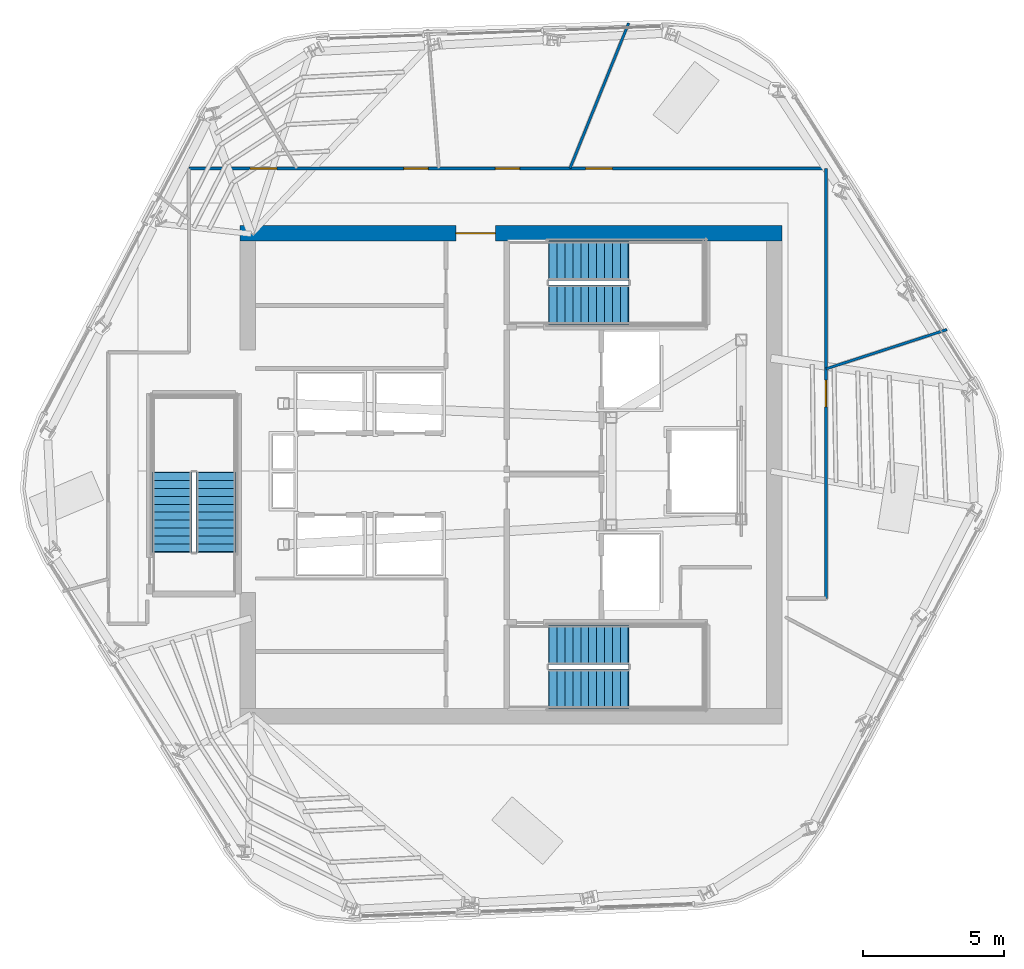
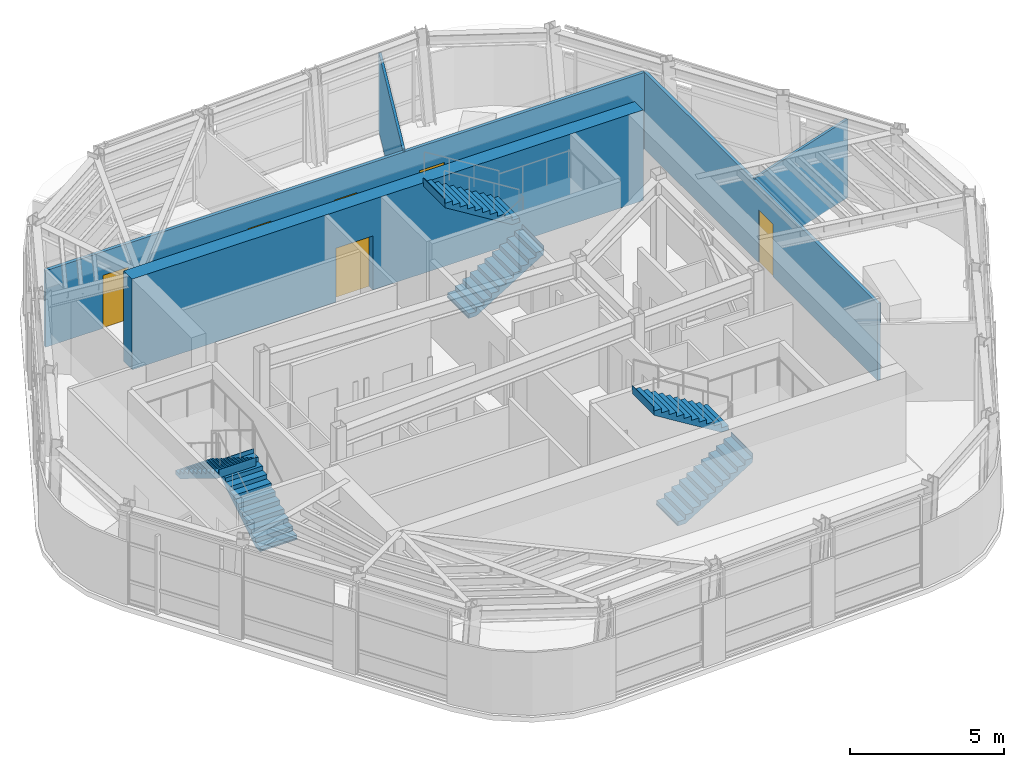
# One storey, part 8 of 13: 6 doors, 6 stair flights, 5 walls, 6 openings, 3 elements without a shape of their own.
"""IFC4 building model written with IfcOpenShell, lengths in metres."""

from ifc_helpers import new_model, si_unit, direction, frame, frame_2d, origin, place, context, subcontext, project, spatial, polyline, rectangle, outline, extrude, material, layer, layer_set, type_object, element, fill, aggregate, save


model = new_model("IFC4")

# Units and contexts
model_context = context("Model", 3, precision=1e-05, world=origin(), true_north=direction((0.0, 1.0)))
body_context = subcontext(model_context, "Body", "Model", "MODEL_VIEW")
ifc_project = project(units=[si_unit("LENGTHUNIT", "METRE"), si_unit("AREAUNIT", "SQUARE_METRE"), si_unit("VOLUMEUNIT", "CUBIC_METRE"), si_unit("PLANEANGLEUNIT", "RADIAN"), si_unit("MASSUNIT", "GRAM", prefix="KILO")], contexts=[model_context])

# Site, building, storey
site_placement = place(None, origin())
site = spatial("IfcSite", under=ifc_project, at=site_placement, CompositionType="ELEMENT")
building_placement = place(site_placement, origin())
building = spatial("IfcBuilding", under=site, at=building_placement, Name="Valkerne Bourse Tower", CompositionType="ELEMENT")
storey_placement = place(building_placement, frame((0.0, 0.0, 292.60009765625)))
storey = spatial("IfcBuildingStorey", under=building, at=storey_placement, Name="L74", CompositionType="ELEMENT", Elevation=292.60009765625)

# Wall, opening, door
ifc_material_1 = material(Name="Concrete C55/67", Category="concrete")
ifc_layer_1 = layer(ifc_material_1, 0.550048828125)
ifc_layer_set_1 = layer_set([ifc_layer_1], Name="Concrete C55/67")
wall_type_1 = type_object("IfcWallType", Name="W-CORE-550", PredefinedType="SHEAR", material=ifc_layer_set_1)
wall_1_placement = place(storey_placement, frame((37.199951171875, 35.425048828125, 0.0), z_axis=(0.0, 0.0, 1.0), x_axis=(1.0, 0.0, 0.0)))
wall_1 = element("IfcWall", 1, at=wall_1_placement, inside=storey, type_object=wall_type_1, Name="L74 Core Shear Wall NORTH", PredefinedType="SHEAR", context=body_context, shape_type="SweptSolid", body=[
    extrude(rectangle(XDim=19.199951171875, YDim=0.550048828125, at=frame_2d((9.60009765625, 0.0))), origin(), (0.0, 0.0, 1.0), 3.599853515625),
])
opening_1_placement = place(wall_1_placement, frame((7.64990234375, 0.0, 0.0)))
opening_1 = element("IfcOpeningElement", 2, at=opening_1_placement, cuts=wall_1, Name="Opening D-PL-1400", PredefinedType="OPENING", context=body_context, shape_type="SweptSolid", body=[
    extrude(rectangle(XDim=1.39990234375, YDim=2.14990234375, at=frame_2d((0.699951171875, 1.074951171875))), frame((0.0, 0.284912109375, 0.0), z_axis=(0.0, -1.0, 0.0), x_axis=(1.0, 0.0, 0.0)), (0.0, 0.0, 1.0), 0.570068359375),
])
ifc_material_2 = material(Name="Galvanised Painted Steel", Category="steel")
door_type_1 = type_object("IfcDoorType", Name="DR-PLT-1400", OperationType="DOUBLE_DOOR_SINGLE_SWING", PredefinedType="DOOR", material=ifc_material_2)
door_1_placement = place(opening_1_placement, origin())
door_1 = element("IfcDoor", 3, at=door_1_placement, inside=storey, type_object=door_type_1, Name="L74 North Passenger Lift Hall Fire Door", OperationType="DOUBLE_DOOR_SINGLE_SWING", OverallHeight=2.14990234375, OverallWidth=1.39990234375, PredefinedType="DOOR", context=body_context, shape_type="SweptSolid", body=[
    extrude(rectangle(XDim=1.39990234375, YDim=2.14990234375, at=frame_2d((0.699951171875, 1.074951171875))), frame((0.0, 0.02490234375, 0.0), z_axis=(0.0, -1.0, 0.0), x_axis=(1.0, 0.0, 0.0)), (0.0, 0.0, 1.0), 0.050048828125),
])
fill(opening_1, door_1)

# Wall, openings, doors
ifc_material_3 = material(Name="Gypsum Board Steel-Stud Partition", Category="steel")
ifc_layer_2 = layer(ifc_material_3, 0.117919921875)
ifc_layer_set_2 = layer_set([ifc_layer_2], Name="Gypsum Board Steel-Stud Partition")
wall_type_2 = type_object("IfcWallType", Name="W-CORR-140", PredefinedType="PARTITIONING", material=ifc_layer_set_2)
wall_2_placement = place(storey_placement, frame((35.39990234375, 37.719970703125, 0.0), z_axis=(0.0, 0.0, 1.0), x_axis=(1.0, 0.0, 0.0)))
wall_2 = element("IfcWall", 4, at=wall_2_placement, inside=storey, type_object=wall_type_2, Name="L74 Corridor Enclosure Wall", PredefinedType="PARTITIONING", context=body_context, shape_type="SweptSolid", body=[
    extrude(rectangle(XDim=22.550048828125, YDim=0.117919921875, at=frame_2d((11.27490234375, 0.0))), origin(), (0.0, 0.0, 1.0), 3.041259765625),
])
opening_2_placement = place(wall_2_placement, frame((7.60498046875, 0.0, 0.0)))
opening_2 = element("IfcOpeningElement", 5, at=opening_2_placement, cuts=wall_2, Name="Opening D-WC-900", PredefinedType="OPENING", context=body_context, shape_type="SweptSolid", body=[
    extrude(rectangle(XDim=0.860107421875, YDim=2.050048828125, at=frame_2d((0.43017578125, 1.02490234375))), frame((0.0, 0.06884765625, 0.0), z_axis=(0.0, -1.0, 0.0), x_axis=(1.0, 0.0, 0.0)), (0.0, 0.0, 1.0), 0.137939453125),
])
opening_3_placement = place(wall_2_placement, frame((10.844970703125, 0.0, 0.0)))
opening_3 = element("IfcOpeningElement", 6, at=opening_3_placement, cuts=wall_2, Name="Opening D-WC-900", PredefinedType="OPENING", context=body_context, shape_type="SweptSolid", body=[
    extrude(rectangle(XDim=0.860107421875, YDim=2.050048828125, at=frame_2d((0.43017578125, 1.02490234375))), frame((0.0, 0.06884765625, 0.0), z_axis=(0.0, -1.0, 0.0), x_axis=(1.0, 0.0, 0.0)), (0.0, 0.0, 1.0), 0.137939453125),
])
opening_4_placement = place(wall_2_placement, frame((14.0400390625, 0.0, 0.0)))
opening_4 = element("IfcOpeningElement", 7, at=opening_4_placement, cuts=wall_2, Name="Opening D-OF-950", PredefinedType="OPENING", context=body_context, shape_type="SweptSolid", body=[
    extrude(rectangle(XDim=0.949951171875, YDim=2.10009765625, at=frame_2d((0.47509765625, 1.050048828125))), frame((0.0, 0.06884765625, 0.0), z_axis=(0.0, -1.0, 0.0), x_axis=(1.0, 0.0, 0.0)), (0.0, 0.0, 1.0), 0.137939453125),
])
opening_5_placement = place(wall_2_placement, frame((2.159912109375, 0.0, 0.0)))
opening_5 = element("IfcOpeningElement", 8, at=opening_5_placement, cuts=wall_2, Name="Opening D-OF-950", PredefinedType="OPENING", context=body_context, shape_type="SweptSolid", body=[
    extrude(rectangle(XDim=0.949951171875, YDim=2.10009765625, at=frame_2d((0.47509765625, 1.050048828125))), frame((0.0, 0.06884765625, 0.0), z_axis=(0.0, -1.0, 0.0), x_axis=(1.0, 0.0, 0.0)), (0.0, 0.0, 1.0), 0.137939453125),
])
ifc_material_4 = material(Name="Architectural White Oak Timber", Category="wood")
door_type_2 = type_object("IfcDoorType", Name="DR-OFF-950", OperationType="NOTDEFINED", PredefinedType="DOOR", material=ifc_material_4)
door_2_placement = place(opening_4_placement, origin())
door_2 = element("IfcDoor", 9, at=door_2_placement, inside=storey, type_object=door_type_2, Name="L74 L74 Member Collaboration Club Salon 4 Door", OperationType="SINGLE_SWING_LEFT", OverallHeight=2.10009765625, OverallWidth=0.949951171875, PredefinedType="DOOR", context=body_context, shape_type="SweptSolid", body=[
    extrude(rectangle(XDim=0.949951171875, YDim=2.10009765625, at=frame_2d((0.47509765625, 1.050048828125))), frame((0.0, 0.02490234375, 0.0), z_axis=(0.0, -1.0, 0.0), x_axis=(1.0, 0.0, 0.0)), (0.0, 0.0, 1.0), 0.050048828125),
])
fill(opening_4, door_2)
door_3_placement = place(opening_5_placement, origin())
door_3 = element("IfcDoor", 10, at=door_3_placement, inside=storey, type_object=door_type_2, Name="L74 L74 VIP Client Concierge Reception 6 Door", OperationType="SINGLE_SWING_LEFT", OverallHeight=2.10009765625, OverallWidth=0.949951171875, PredefinedType="DOOR", context=body_context, shape_type="SweptSolid", body=[
    extrude(rectangle(XDim=0.949951171875, YDim=2.10009765625, at=frame_2d((0.47509765625, 1.050048828125))), frame((0.0, 0.02490234375, 0.0), z_axis=(0.0, -1.0, 0.0), x_axis=(1.0, 0.0, 0.0)), (0.0, 0.0, 1.0), 0.050048828125),
])
fill(opening_5, door_3)
door_type_3 = type_object("IfcDoorType", Name="DR-WC-900", OperationType="NOTDEFINED", PredefinedType="DOOR", material=ifc_material_4)
door_4_placement = place(opening_2_placement, origin())
door_4 = element("IfcDoor", 11, at=door_4_placement, inside=storey, type_object=door_type_3, Name="L74 L74 Men Bathroom WC 1 Door", OperationType="SINGLE_SWING_LEFT", OverallHeight=2.050048828125, OverallWidth=0.860107421875, PredefinedType="DOOR", context=body_context, shape_type="SweptSolid", body=[
    extrude(rectangle(XDim=0.860107421875, YDim=2.050048828125, at=frame_2d((0.43017578125, 1.02490234375))), frame((0.0, 0.02490234375, 0.0), z_axis=(0.0, -1.0, 0.0), x_axis=(1.0, 0.0, 0.0)), (0.0, 0.0, 1.0), 0.050048828125),
])
fill(opening_2, door_4)
door_5_placement = place(opening_3_placement, origin())
door_5 = element("IfcDoor", 12, at=door_5_placement, inside=storey, type_object=door_type_3, Name="L74 L74 Women Restroom & Shower WC 2 Door", OperationType="SINGLE_SWING_LEFT", OverallHeight=2.050048828125, OverallWidth=0.860107421875, PredefinedType="DOOR", context=body_context, shape_type="SweptSolid", body=[
    extrude(rectangle(XDim=0.860107421875, YDim=2.050048828125, at=frame_2d((0.43017578125, 1.02490234375))), frame((0.0, 0.02490234375, 0.0), z_axis=(0.0, -1.0, 0.0), x_axis=(1.0, 0.0, 0.0)), (0.0, 0.0, 1.0), 0.050048828125),
])
fill(opening_3, door_5)

# Wall, opening, door
wall_3_placement = place(storey_placement, frame((57.949951171875, 37.719970703125, 0.0), z_axis=(0.0, 0.0, 1.0), x_axis=(0.0, -1.0, 0.0)))
wall_3 = element("IfcWall", 13, at=wall_3_placement, inside=storey, type_object=wall_type_2, Name="L74 Corridor Enclosure Wall", PredefinedType="PARTITIONING", context=body_context, shape_type="SweptSolid", body=[
    extrude(rectangle(XDim=15.219970703125, YDim=0.117919921875, at=frame_2d((7.60986328125, 0.0))), origin(), (0.0, 0.0, 1.0), 3.056396484375),
])
opening_6_placement = place(wall_3_placement, frame((7.4951171875, 0.0, 0.0)))
opening_6 = element("IfcOpeningElement", 14, at=opening_6_placement, cuts=wall_3, Name="Opening D-OF-950", PredefinedType="OPENING", context=body_context, shape_type="SweptSolid", body=[
    extrude(rectangle(XDim=0.949951171875, YDim=2.10009765625, at=frame_2d((0.47509765625, 1.050048828125))), frame((0.0, 0.06884765625, 0.0), z_axis=(0.0, -1.0, 0.0), x_axis=(1.0, 0.0, 0.0)), (0.0, 0.0, 1.0), 0.137939453125),
])
door_6_placement = place(opening_6_placement, origin())
door_6 = element("IfcDoor", 15, at=door_6_placement, inside=storey, type_object=door_type_2, Name="L74 L74 VIP Client Concierge Reception 5 Door", OperationType="SINGLE_SWING_LEFT", OverallHeight=2.10009765625, OverallWidth=0.949951171875, PredefinedType="DOOR", context=body_context, shape_type="SweptSolid", body=[
    extrude(rectangle(XDim=0.949951171875, YDim=2.10009765625, at=frame_2d((0.47509765625, 1.050048828125))), frame((0.0, 0.02490234375, 0.0), z_axis=(0.0, -1.0, 0.0), x_axis=(1.0, 0.0, 0.0)), (0.0, 0.0, 1.0), 0.050048828125),
])
fill(opening_6, door_6)

# Walls
ifc_layer_3 = layer(ifc_material_3, 0.092041015625)
ifc_layer_set_3 = layer_set([ifc_layer_3], Name="Gypsum Board Steel-Stud Partition")
wall_type_3 = type_object("IfcWallType", Name="W-PART-115", PredefinedType="PARTITIONING", material=ifc_layer_set_3)
wall_4_placement = place(storey_placement, frame((48.888916015625, 37.72509765625, 0.0), z_axis=(0.0, 0.0, 1.0), x_axis=(0.374594933497, 0.927188565394, 0.0)))
element("IfcWall", 16, at=wall_4_placement, inside=storey, type_object=wall_type_3, Name="L74 Suite Partition P01", PredefinedType="PARTITIONING", context=body_context, shape_type="SweptSolid", body=[
    extrude(rectangle(XDim=5.539794921875, YDim=0.092041015625, at=frame_2d((2.77001953125, 0.0))), origin(), (0.0, 0.0, 1.0), 3.114990234375),
])
wall_5_placement = place(storey_placement, frame((57.955078125, 30.62451171875, 0.0), z_axis=(0.0, 0.0, 1.0), x_axis=(0.951063958056, 0.308994090051, 0.0)))
element("IfcWall", 17, at=wall_5_placement, inside=storey, type_object=wall_type_3, Name="L74 Suite Partition P05", PredefinedType="PARTITIONING", context=body_context, shape_type="SweptSolid", body=[
    extrude(rectangle(XDim=4.501220703125, YDim=0.092041015625, at=frame_2d((2.25048828125, 0.0))), origin(), (0.0, 0.0, 1.0), 3.114990234375),
])

# Stair, stair flights
ifc_material_5 = material(Name="Concrete C40/50", Category="concrete")
stair_type = type_object("IfcStairType", Name="ST-CORE-1400", PredefinedType="HALF_TURN_STAIR", material=ifc_material_5)
stair_1_placement = place(storey_placement, origin())
stair_1 = element("IfcStair", 18, at=stair_1_placement, inside=storey, type_object=stair_type, Name="L74 ST-1", PredefinedType="HALF_TURN_STAIR")
stair_flight_type = type_object("IfcStairFlightType", Name="STF-CORE-1400", PredefinedType="STRAIGHT", material=ifc_material_5)
stair_flight_1_placement = place(storey_placement, frame((48.14990234375, 19.300048828125, 0.0), z_axis=(0.0, 0.0, 1.0), x_axis=(1.0, 0.0, 0.0)))
stair_flight_1 = element("IfcStairFlight", 19, at=stair_flight_1_placement, type_object=stair_flight_type, Name="ST-1 flight 1", NumberOfRisers=11, NumberOfTreads=10, PredefinedType="STRAIGHT", RiserHeight=0.172727273, TreadLength=0.28, context=body_context, shape_type="SweptSolid", body=[
    extrude(outline(polyline([(-0.02001953125, 0.0), (-0.02001953125, 0.044921875), (0.0, 0.044921875), (0.0, 0.172607421875), (0.280029296875, 0.172607421875), (0.280029296875, 0.345458984375), (0.56005859375, 0.345458984375), (0.56005859375, 0.51806640625), (0.840087890625, 0.51806640625), (0.840087890625, 0.69091796875), (1.1201171875, 0.69091796875), (1.1201171875, 0.863525390625), (1.39990234375, 0.863525390625), (1.39990234375, 1.036376953125), (1.679931640625, 1.036376953125), (1.679931640625, 1.208984375), (1.9599609375, 1.208984375), (1.9599609375, 1.3818359375), (2.239990234375, 1.3818359375), (2.239990234375, 1.554443359375), (2.52001953125, 1.554443359375), (2.52001953125, 1.727294921875), (2.800048828125, 1.727294921875), (2.800048828125, 1.89990234375), (2.820068359375, 1.89990234375), (2.820068359375, 1.780029296875), (2.800048828125, 1.551025390625), (0.285400390625, 0.0), (-0.02001953125, 0.0)])), frame((0.0, 0.699951171875, 0.0), z_axis=(0.0, -1.0, 0.0), x_axis=(1.0, 0.0, 0.0)), (0.0, 0.0, 1.0), 1.39990234375),
])
stair_flight_2_placement = place(storey_placement, frame((50.949951171875, 20.85009765625, 1.89990234375), z_axis=(0.0, 0.0, 1.0), x_axis=(-1.0, 0.0, 0.0)))
stair_flight_2 = element("IfcStairFlight", 20, at=stair_flight_2_placement, type_object=stair_flight_type, Name="ST-1 flight 2", NumberOfRisers=11, NumberOfTreads=10, PredefinedType="STRAIGHT", RiserHeight=0.172727273, TreadLength=0.28, context=body_context, shape_type="SweptSolid", body=[
    extrude(outline(polyline([(-0.02001953125, 0.0), (-0.02001953125, 0.044921875), (0.0, 0.044921875), (0.0, 0.172607421875), (0.280029296875, 0.172607421875), (0.280029296875, 0.345458984375), (0.56005859375, 0.345458984375), (0.56005859375, 0.51806640625), (0.840087890625, 0.51806640625), (0.840087890625, 0.69091796875), (1.1201171875, 0.69091796875), (1.1201171875, 0.863525390625), (1.39990234375, 0.863525390625), (1.39990234375, 1.036376953125), (1.679931640625, 1.036376953125), (1.679931640625, 1.208984375), (1.9599609375, 1.208984375), (1.9599609375, 1.3818359375), (2.239990234375, 1.3818359375), (2.239990234375, 1.554443359375), (2.52001953125, 1.554443359375), (2.52001953125, 1.727294921875), (2.800048828125, 1.727294921875), (2.800048828125, 1.89990234375), (2.820068359375, 1.89990234375), (2.820068359375, 1.780029296875), (2.800048828125, 1.551025390625), (0.285400390625, 0.0), (-0.02001953125, 0.0)])), frame((0.0, 0.699951171875, 0.0), z_axis=(0.0, -1.0, 0.0), x_axis=(1.0, 0.0, 0.0)), (0.0, 0.0, 1.0), 1.39990234375),
])
aggregate(stair_1, [stair_flight_1, stair_flight_2])

stair_2_placement = place(storey_placement, origin())
stair_2 = element("IfcStair", 21, at=stair_2_placement, inside=storey, type_object=stair_type, Name="L74 ST-2", PredefinedType="HALF_TURN_STAIR")
stair_flight_3_placement = place(storey_placement, frame((48.14990234375, 32.89990234375, 0.0), z_axis=(0.0, 0.0, 1.0), x_axis=(1.0, 0.0, 0.0)))
stair_flight_3 = element("IfcStairFlight", 22, at=stair_flight_3_placement, type_object=stair_flight_type, Name="ST-2 flight 1", NumberOfRisers=11, NumberOfTreads=10, PredefinedType="STRAIGHT", RiserHeight=0.172727273, TreadLength=0.28, context=body_context, shape_type="SweptSolid", body=[
    extrude(outline(polyline([(-0.02001953125, 0.0), (-0.02001953125, 0.044921875), (0.0, 0.044921875), (0.0, 0.172607421875), (0.280029296875, 0.172607421875), (0.280029296875, 0.345458984375), (0.56005859375, 0.345458984375), (0.56005859375, 0.51806640625), (0.840087890625, 0.51806640625), (0.840087890625, 0.69091796875), (1.1201171875, 0.69091796875), (1.1201171875, 0.863525390625), (1.39990234375, 0.863525390625), (1.39990234375, 1.036376953125), (1.679931640625, 1.036376953125), (1.679931640625, 1.208984375), (1.9599609375, 1.208984375), (1.9599609375, 1.3818359375), (2.239990234375, 1.3818359375), (2.239990234375, 1.554443359375), (2.52001953125, 1.554443359375), (2.52001953125, 1.727294921875), (2.800048828125, 1.727294921875), (2.800048828125, 1.89990234375), (2.820068359375, 1.89990234375), (2.820068359375, 1.780029296875), (2.800048828125, 1.551025390625), (0.285400390625, 0.0), (-0.02001953125, 0.0)])), frame((0.0, 0.699951171875, 0.0), z_axis=(0.0, -1.0, 0.0), x_axis=(1.0, 0.0, 0.0)), (0.0, 0.0, 1.0), 1.39990234375),
])
stair_flight_4_placement = place(storey_placement, frame((50.949951171875, 34.449951171875, 1.89990234375), z_axis=(0.0, 0.0, 1.0), x_axis=(-1.0, 0.0, 0.0)))
stair_flight_4 = element("IfcStairFlight", 23, at=stair_flight_4_placement, type_object=stair_flight_type, Name="ST-2 flight 2", NumberOfRisers=11, NumberOfTreads=10, PredefinedType="STRAIGHT", RiserHeight=0.172727273, TreadLength=0.28, context=body_context, shape_type="SweptSolid", body=[
    extrude(outline(polyline([(-0.02001953125, 0.0), (-0.02001953125, 0.044921875), (0.0, 0.044921875), (0.0, 0.172607421875), (0.280029296875, 0.172607421875), (0.280029296875, 0.345458984375), (0.56005859375, 0.345458984375), (0.56005859375, 0.51806640625), (0.840087890625, 0.51806640625), (0.840087890625, 0.69091796875), (1.1201171875, 0.69091796875), (1.1201171875, 0.863525390625), (1.39990234375, 0.863525390625), (1.39990234375, 1.036376953125), (1.679931640625, 1.036376953125), (1.679931640625, 1.208984375), (1.9599609375, 1.208984375), (1.9599609375, 1.3818359375), (2.239990234375, 1.3818359375), (2.239990234375, 1.554443359375), (2.52001953125, 1.554443359375), (2.52001953125, 1.727294921875), (2.800048828125, 1.727294921875), (2.800048828125, 1.89990234375), (2.820068359375, 1.89990234375), (2.820068359375, 1.780029296875), (2.800048828125, 1.551025390625), (0.285400390625, 0.0), (-0.02001953125, 0.0)])), frame((0.0, 0.699951171875, 0.0), z_axis=(0.0, -1.0, 0.0), x_axis=(1.0, 0.0, 0.0)), (0.0, 0.0, 1.0), 1.39990234375),
])
aggregate(stair_2, [stair_flight_3, stair_flight_4])

stair_3_placement = place(storey_placement, origin())
stair_3 = element("IfcStair", 24, at=stair_3_placement, inside=storey, type_object=stair_type, Name="L74 ST-3", PredefinedType="HALF_TURN_STAIR")
stair_flight_5_placement = place(storey_placement, frame((36.35009765625, 24.14990234375, 0.0), z_axis=(0.0, 0.0, 1.0), x_axis=(0.0, 1.0, 0.0)))
stair_flight_5 = element("IfcStairFlight", 25, at=stair_flight_5_placement, type_object=stair_flight_type, Name="ST-3 flight 1", NumberOfRisers=11, NumberOfTreads=10, PredefinedType="STRAIGHT", RiserHeight=0.172727273, TreadLength=0.28, context=body_context, shape_type="SweptSolid", body=[
    extrude(outline(polyline([(-0.02001953125, 0.0), (-0.02001953125, 0.044921875), (0.0, 0.044921875), (0.0, 0.172607421875), (0.280029296875, 0.172607421875), (0.280029296875, 0.345458984375), (0.56005859375, 0.345458984375), (0.56005859375, 0.51806640625), (0.840087890625, 0.51806640625), (0.840087890625, 0.69091796875), (1.1201171875, 0.69091796875), (1.1201171875, 0.863525390625), (1.39990234375, 0.863525390625), (1.39990234375, 1.036376953125), (1.679931640625, 1.036376953125), (1.679931640625, 1.208984375), (1.9599609375, 1.208984375), (1.9599609375, 1.3818359375), (2.239990234375, 1.3818359375), (2.239990234375, 1.554443359375), (2.52001953125, 1.554443359375), (2.52001953125, 1.727294921875), (2.800048828125, 1.727294921875), (2.800048828125, 1.89990234375), (2.820068359375, 1.89990234375), (2.820068359375, 1.780029296875), (2.800048828125, 1.551025390625), (0.285400390625, 0.0), (-0.02001953125, 0.0)])), frame((0.0, 0.699951171875, 0.0), z_axis=(0.0, -1.0, 0.0), x_axis=(1.0, 0.0, 0.0)), (0.0, 0.0, 1.0), 1.39990234375),
])
stair_flight_6_placement = place(storey_placement, frame((34.800048828125, 26.949951171875, 1.89990234375), z_axis=(0.0, 0.0, 1.0), x_axis=(0.0, -1.0, 0.0)))
stair_flight_6 = element("IfcStairFlight", 26, at=stair_flight_6_placement, type_object=stair_flight_type, Name="ST-3 flight 2", NumberOfRisers=11, NumberOfTreads=10, PredefinedType="STRAIGHT", RiserHeight=0.172727273, TreadLength=0.28, context=body_context, shape_type="SweptSolid", body=[
    extrude(outline(polyline([(-0.02001953125, 0.0), (-0.02001953125, 0.044921875), (0.0, 0.044921875), (0.0, 0.172607421875), (0.280029296875, 0.172607421875), (0.280029296875, 0.345458984375), (0.56005859375, 0.345458984375), (0.56005859375, 0.51806640625), (0.840087890625, 0.51806640625), (0.840087890625, 0.69091796875), (1.1201171875, 0.69091796875), (1.1201171875, 0.863525390625), (1.39990234375, 0.863525390625), (1.39990234375, 1.036376953125), (1.679931640625, 1.036376953125), (1.679931640625, 1.208984375), (1.9599609375, 1.208984375), (1.9599609375, 1.3818359375), (2.239990234375, 1.3818359375), (2.239990234375, 1.554443359375), (2.52001953125, 1.554443359375), (2.52001953125, 1.727294921875), (2.800048828125, 1.727294921875), (2.800048828125, 1.89990234375), (2.820068359375, 1.89990234375), (2.820068359375, 1.780029296875), (2.800048828125, 1.551025390625), (0.285400390625, 0.0), (-0.02001953125, 0.0)])), frame((0.0, 0.699951171875, 0.0), z_axis=(0.0, -1.0, 0.0), x_axis=(1.0, 0.0, 0.0)), (0.0, 0.0, 1.0), 1.39990234375),
])
aggregate(stair_3, [stair_flight_5, stair_flight_6])

save(model, "model.ifc")
